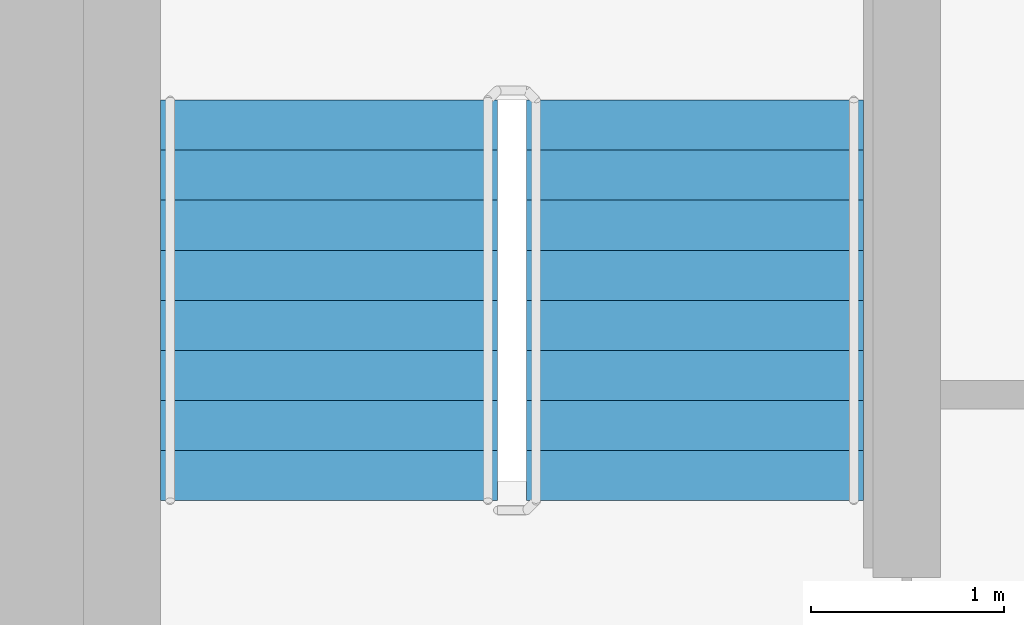
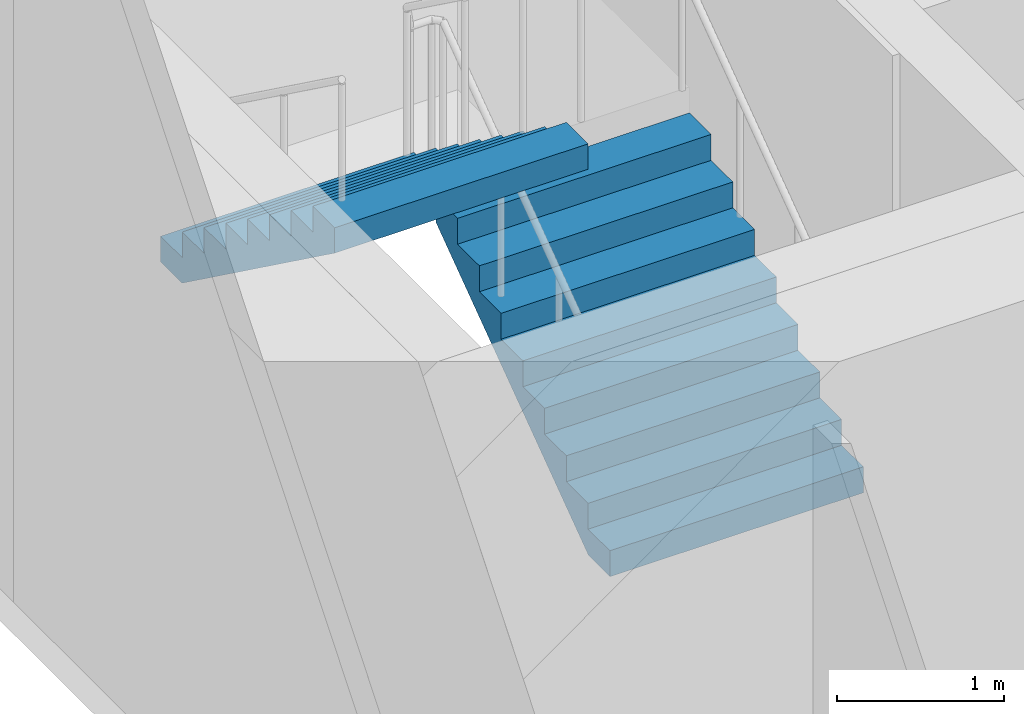
# One storey, part 15 of 18: 2 stair flights, 1 element without a shape of its own.
"""IFC4 building model written with IfcOpenShell, lengths in metres."""

import ifcopenshell
import ifcopenshell.guid

model = None  # the IFC model being written
_history = None  # IfcOwnerHistory: only IFC2X3 demands one
_inside = {}  # id of a spatial element -> (the spatial element, [elements in it])
_under = {}  # id of a project, library or spatial element -> (it, [spatial elements below it])
_declared = {}  # id of a project -> (the project, [libraries it declares])
_typed = {}  # id of a type object -> (the type object, [elements of that type])
_made_of = {}  # id of a material, layer set ... -> (it, [elements and type objects made of it])


def new_model(schema):
    """Start an empty IFC model of exactly this schema.

    Asked for "IFC4X3", IfcOpenShell would pick the latest addendum, in which some entities
    have other attributes; the version numbers below select the first issue.
    IFC2X3 requires an IfcOwnerHistory on every rooted entity: one is made here for all.
    """
    global model, _history
    if schema == "IFC4X3":
        model = ifcopenshell.file(schema_version=(4, 3, 0, 0))
    else:
        model = ifcopenshell.file(schema=schema)
    _inside.clear()
    _under.clear()
    _declared.clear()
    _typed.clear()
    _made_of.clear()
    _history = None
    if model.schema == "IFC2X3":
        org = make("IfcOrganization", Name="unknown")
        user = make(
            "IfcPersonAndOrganization",
            ThePerson=make("IfcPerson", FamilyName="unknown"),
            TheOrganization=org,
        )
        app = make(
            "IfcApplication",
            ApplicationDeveloper=org,
            Version="unknown",
            ApplicationFullName="unknown",
            ApplicationIdentifier="unknown",
        )
        _history = make(
            "IfcOwnerHistory",
            OwningUser=user,
            OwningApplication=app,
            ChangeAction="ADDED",
            CreationDate=0,
        )
    return model


def make(cls, **values):
    """One entity of the class cls with the attributes given. An attribute that is None is left unset."""
    return model.create_entity(
        cls, **{name: value for name, value in values.items() if value is not None}
    )


def rooted(cls, **values):
    """An entity with a GlobalId (a new one), such as an element, a storey or a relation."""
    return make(cls, GlobalId=ifcopenshell.guid.new(), OwnerHistory=_history, **values)


def si_unit(unit_type, name, prefix=None):
    """IfcSIUnit, for example si_unit("LENGTHUNIT", "METRE", prefix="MILLI")."""
    return make("IfcSIUnit", UnitType=unit_type, Prefix=prefix, Name=name)


def assignment(units):
    """IfcUnitAssignment: the units of a project."""
    return None if units is None else make("IfcUnitAssignment", Units=units)


def point(xyz):
    """IfcCartesianPoint."""
    return None if xyz is None else make("IfcCartesianPoint", Coordinates=xyz)


def direction(xyz):
    """IfcDirection."""
    return None if xyz is None else make("IfcDirection", DirectionRatios=xyz)


def frame(location, z_axis=None, x_axis=None):
    """IfcAxis2Placement3D, a coordinate frame: its origin and axes. An axis left out is left unset."""
    return make(
        "IfcAxis2Placement3D",
        Location=point(location),
        Axis=direction(z_axis),
        RefDirection=direction(x_axis),
    )


def origin():
    """The frame at (0, 0, 0) with its axes left unset."""
    return frame((0.0, 0.0, 0.0))


def place(relative_to, where):
    """IfcLocalPlacement: puts the frame where relative to a parent placement (None: the world)."""
    return make(
        "IfcLocalPlacement", PlacementRelTo=relative_to, RelativePlacement=where
    )


def context(
    kind, dimensions, precision=None, world=None, true_north=None, identifier=None
):
    """IfcGeometricRepresentationContext, for example the 3D "Model" context."""
    return make(
        "IfcGeometricRepresentationContext",
        ContextIdentifier=identifier,
        ContextType=kind,
        CoordinateSpaceDimension=dimensions,
        Precision=precision,
        WorldCoordinateSystem=world,
        TrueNorth=true_north,
    )


def subcontext(parent, identifier, kind, view, scale=None):
    """IfcGeometricRepresentationSubContext, for example "Body" below "Model"."""
    return make(
        "IfcGeometricRepresentationSubContext",
        ContextIdentifier=identifier,
        ContextType=kind,
        ParentContext=parent,
        TargetScale=scale,
        TargetView=view,
    )


def project(units=None, contexts=None):
    """IfcProject with its units and contexts."""
    return rooted(
        "IfcProject",
        Name="project",
        RepresentationContexts=contexts,
        UnitsInContext=assignment(units),
    )


def spatial(cls, under=None, at=None, **own):
    """A site, building, storey or space (cls), placed at a placement, below another one or the project."""
    s = rooted(cls, ObjectPlacement=at, **own)
    if under is not None:
        _under.setdefault(under.id(), (under, []))[1].append(s)
    return s


def faces_of(points, faces, orient=None, outer=None):
    """IfcFace entities. A face is a list of loops; a loop is a list of indices into points, from 0.

    orient and outer hold one flag for each loop. By default every Orientation is true, the
    first loop of a face is its IfcFaceOuterBound and the others are IfcFaceBound.
    """
    made = []
    for i, loops in enumerate(faces):
        bounds = []
        for j, loop in enumerate(loops):
            is_outer = j == 0 if outer is None else outer[i][j]
            bounds.append(
                make(
                    "IfcFaceOuterBound" if is_outer else "IfcFaceBound",
                    Bound=make("IfcPolyLoop", Polygon=[points[k] for k in loop]),
                    Orientation=True if orient is None else orient[i][j],
                )
            )
        made.append(make("IfcFace", Bounds=bounds))
    return made


def faceted_brep(points, faces, orient=None, outer=None, voids=None):
    """IfcFacetedBrep: a solid bounded by flat faces; with voids (closed shells), ...WithVoids."""
    shared = [point(p) for p in points]
    hull = make("IfcClosedShell", CfsFaces=faces_of(shared, faces, orient, outer))
    if voids is None:
        return make("IfcFacetedBrep", Outer=hull)
    return make(
        "IfcFacetedBrepWithVoids",
        Outer=hull,
        Voids=[
            make(cls, CfsFaces=faces_of(shared, fs, o, b)) for cls, fs, o, b in voids
        ],
    )


def shape(context_of_items, identifier, shape_type, items):
    """IfcShapeRepresentation: the items that make up one representation, for example the "Body"."""
    return make(
        "IfcShapeRepresentation",
        ContextOfItems=context_of_items,
        RepresentationIdentifier=identifier,
        RepresentationType=shape_type,
        Items=items,
    )


def material(Name=None, Category=None):
    """IfcMaterial."""
    return make("IfcMaterial", Name=Name, Category=Category)


def made_of(thing, what):
    """Note that an element or type object is made of a material, layer set ...; save() writes the relation."""
    if what is not None:
        _made_of.setdefault(what.id(), (what, []))[1].append(thing)
    return thing


def type_object(cls, material=None, **own):
    """A type object (cls), such as IfcWallType, which elements share."""
    return made_of(rooted(cls, **own), material)


def element(
    cls,
    number,
    at=None,
    inside=None,
    cuts=None,
    type_object=None,
    material=None,
    context=None,
    identifier="Body",
    shape_type=None,
    held_by="IfcProductDefinitionShape",
    body=None,
    shapes=None,
    **own,
):
    """One element of the class cls, such as IfcWall. Its Tag is "e" and its number.

    at: its placement. inside: the storey or other place that contains it. cuts: it is an
    opening in that element (IfcRelVoidsElement). A single representation is given by context,
    identifier, shape_type and body (its items); several are given by shapes. held_by: the class
    of the entity that holds the representations. save() writes the other relations.
    """
    e = rooted(cls, Tag="e%d" % number, ObjectPlacement=at, **own)
    if body is not None:
        shapes = [shape(context, identifier, shape_type, body)]
    if shapes is not None:
        e.Representation = make(held_by, Representations=shapes)
    if inside is not None:
        _inside.setdefault(inside.id(), (inside, []))[1].append(e)
    if cuts is not None:
        rooted(
            "IfcRelVoidsElement", RelatingBuildingElement=cuts, RelatedOpeningElement=e
        )
    if type_object is not None:
        _typed.setdefault(type_object.id(), (type_object, []))[1].append(e)
    return made_of(e, material)


def aggregate(whole, parts):
    """IfcRelAggregates: a whole, such as a stair, and the parts it consists of."""
    return rooted("IfcRelAggregates", RelatingObject=whole, RelatedObjects=parts)


def save(model, path):
    """Write the relations noted so far, then the file.

    IfcRelAggregates (storeys below a building ...), IfcRelContainedInSpatialStructure (elements
    in a storey), IfcRelDefinesByType, IfcRelAssociatesMaterial and IfcRelDeclares: one each for
    every whole, place, type object, material and project.
    """
    for whole, parts in _under.values():
        aggregate(whole, parts)
    for where, things in _inside.values():
        rooted(
            "IfcRelContainedInSpatialStructure",
            RelatedElements=things,
            RelatingStructure=where,
        )
    for kind, things in _typed.values():
        rooted("IfcRelDefinesByType", RelatedObjects=things, RelatingType=kind)
    for what, things in _made_of.values():
        rooted("IfcRelAssociatesMaterial", RelatedObjects=things, RelatingMaterial=what)
    for by, libraries in _declared.values():
        rooted("IfcRelDeclares", RelatingContext=by, RelatedDefinitions=libraries)
    model.write(path)


model = new_model("IFC4")

# Units and contexts
model_context = context("Model", 3, precision=1e-05, world=origin(), true_north=direction((0.0, 1.0)))
body_context = subcontext(model_context, "Body", "Model", "MODEL_VIEW")
ifc_project = project(units=[si_unit("LENGTHUNIT", "METRE"), si_unit("AREAUNIT", "SQUARE_METRE"), si_unit("VOLUMEUNIT", "CUBIC_METRE"), si_unit("PLANEANGLEUNIT", "RADIAN"), si_unit("MASSUNIT", "GRAM", prefix="KILO")], contexts=[model_context])

# Site, building, storey
site_placement = place(None, origin())
site = spatial("IfcSite", under=ifc_project, at=site_placement, CompositionType="ELEMENT")
building_placement = place(site_placement, origin())
building = spatial("IfcBuilding", under=site, at=building_placement, Name="Ipe Terrace Towers", CompositionType="ELEMENT")
storey_placement = place(building_placement, frame((0.0, 0.0, 150.699951171875)))
storey = spatial("IfcBuildingStorey", under=building, at=storey_placement, Name="L41", CompositionType="ELEMENT", Elevation=150.699951171875)

# Stair, stair flights
ifc_material_1 = material(Name="Concrete C30/37", Category="concrete")
stair_type = type_object("IfcStairType", Name="Protected exit stair", PredefinedType="HALF_TURN_STAIR", material=ifc_material_1)
stair_placement = place(storey_placement, origin())
stair = element("IfcStair", 1, at=stair_placement, inside=storey, type_object=stair_type, Name="L41 Exit stair T2-C1", PredefinedType="HALF_TURN_STAIR")
ifc_material_2 = material(Name="Concrete C30/37", Category="concrete")
stair_flight_type = type_object("IfcStairFlightType", Name="Exit stair flight 1750", PredefinedType="STRAIGHT", material=ifc_material_2)
stair_flight_1_placement = place(storey_placement, frame((33.22509765625, 9.699951171875, 0.0), z_axis=(0.0, 0.0, 1.0), x_axis=(0.0, 1.0, 0.0)))
stair_flight_1 = element("IfcStairFlight", 2, at=stair_flight_1_placement, type_object=stair_flight_type, Name="T2-ST1 flight 1", NumberOfRisers=9, NumberOfTreads=8, PredefinedType="STRAIGHT", RiserHeight=0.188888889, TreadLength=0.26, context=body_context, shape_type="Brep", body=[
    faceted_brep([(0.255126953125, -0.875, 0.0), (2.080078125, -0.875, 1.325927734375), (2.080078125, -0.875, 1.51123046875), (1.820068359375, -0.875, 1.51123046875), (1.820068359375, -0.875, 1.322265625), (1.56005859375, -0.875, 1.322265625), (1.56005859375, -0.875, 1.13330078125), (1.300048828125, -0.875, 1.13330078125), (1.300048828125, -0.875, 0.9443359375), (1.0400390625, -0.875, 0.9443359375), (1.0400390625, -0.875, 0.755615234375), (0.780029296875, -0.875, 0.755615234375), (0.780029296875, -0.875, 0.566650390625), (0.52001953125, -0.875, 0.566650390625), (0.52001953125, -0.875, 0.377685546875), (0.260009765625, -0.875, 0.377685546875), (0.260009765625, -0.875, 0.18896484375), (0.0, -0.875, 0.18896484375), (0.0, -0.875, 0.0), (0.0, 0.875, 0.0), (0.0, 0.875, 0.18896484375), (0.260009765625, 0.875, 0.18896484375), (0.260009765625, 0.875, 0.377685546875), (0.52001953125, 0.875, 0.377685546875), (0.52001953125, 0.875, 0.566650390625), (0.780029296875, 0.875, 0.566650390625), (0.780029296875, 0.875, 0.755615234375), (1.0400390625, 0.875, 0.755615234375), (1.0400390625, 0.875, 0.9443359375), (1.300048828125, 0.875, 0.9443359375), (1.300048828125, 0.875, 1.13330078125), (1.56005859375, 0.875, 1.13330078125), (1.56005859375, 0.875, 1.322265625), (1.820068359375, 0.875, 1.322265625), (1.820068359375, 0.875, 1.51123046875), (2.080078125, 0.875, 1.51123046875), (2.080078125, 0.875, 1.325927734375), (0.255126953125, 0.875, 0.0), (0.0, -0.300048828125, 0.18896484375), (0.0, -0.1201171875, 0.18896484375), (0.0, -0.06005859375, 0.18896484375), (0.0, -0.030029296875, 0.18896484375), (0.0, -0.010009765625, 0.18896484375), (0.0, 0.0, 0.18896484375), (0.0, 0.010009765625, 0.18896484375), (0.0, 0.030029296875, 0.18896484375), (0.0, 0.06005859375, 0.18896484375), (0.0, 0.1201171875, 0.18896484375), (0.0, 0.300048828125, 0.18896484375), (0.0, 0.300048828125, 0.0), (0.0, 0.1201171875, 0.0), (0.0, 0.06005859375, 0.0), (0.0, 0.030029296875, 0.0), (0.0, 0.010009765625, 0.0), (0.0, 0.0, 0.0), (0.0, -0.010009765625, 0.0), (0.0, -0.030029296875, 0.0), (0.0, -0.06005859375, 0.0), (0.0, -0.1201171875, 0.0), (0.0, -0.300048828125, 0.0), (0.260009765625, -0.300048828125, 0.18896484375), (0.260009765625, -0.1201171875, 0.18896484375), (0.260009765625, -0.06005859375, 0.18896484375), (0.260009765625, -0.030029296875, 0.18896484375), (0.260009765625, -0.010009765625, 0.18896484375), (0.260009765625, 0.0, 0.18896484375), (0.260009765625, 0.010009765625, 0.18896484375), (0.260009765625, 0.030029296875, 0.18896484375), (0.260009765625, 0.06005859375, 0.18896484375), (0.260009765625, 0.1201171875, 0.18896484375), (0.260009765625, 0.300048828125, 0.18896484375), (0.260009765625, -0.300048828125, 0.377685546875), (0.260009765625, -0.1201171875, 0.377685546875), (0.260009765625, -0.06005859375, 0.377685546875), (0.260009765625, -0.030029296875, 0.377685546875), (0.260009765625, -0.010009765625, 0.377685546875), (0.260009765625, 0.0, 0.377685546875), (0.260009765625, 0.010009765625, 0.377685546875), (0.260009765625, 0.030029296875, 0.377685546875), (0.260009765625, 0.06005859375, 0.377685546875), (0.260009765625, 0.1201171875, 0.377685546875), (0.260009765625, 0.300048828125, 0.377685546875), (0.52001953125, -0.300048828125, 0.377685546875), (0.52001953125, -0.1201171875, 0.377685546875), (0.52001953125, -0.06005859375, 0.377685546875), (0.52001953125, -0.030029296875, 0.377685546875), (0.52001953125, -0.010009765625, 0.377685546875), (0.52001953125, 0.0, 0.377685546875), (0.52001953125, 0.010009765625, 0.377685546875), (0.52001953125, 0.030029296875, 0.377685546875), (0.52001953125, 0.06005859375, 0.377685546875), (0.52001953125, 0.1201171875, 0.377685546875), (0.52001953125, 0.300048828125, 0.377685546875), (0.52001953125, -0.300048828125, 0.566650390625), (0.52001953125, -0.1201171875, 0.566650390625), (0.52001953125, -0.06005859375, 0.566650390625), (0.52001953125, -0.030029296875, 0.566650390625), (0.52001953125, -0.010009765625, 0.566650390625), (0.52001953125, 0.0, 0.566650390625), (0.52001953125, 0.010009765625, 0.566650390625), (0.52001953125, 0.030029296875, 0.566650390625), (0.52001953125, 0.06005859375, 0.566650390625), (0.52001953125, 0.1201171875, 0.566650390625), (0.52001953125, 0.300048828125, 0.566650390625), (0.780029296875, -0.300048828125, 0.566650390625), (0.780029296875, -0.1201171875, 0.566650390625), (0.780029296875, -0.06005859375, 0.566650390625), (0.780029296875, -0.030029296875, 0.566650390625), (0.780029296875, -0.010009765625, 0.566650390625), (0.780029296875, 0.0, 0.566650390625), (0.780029296875, 0.010009765625, 0.566650390625), (0.780029296875, 0.030029296875, 0.566650390625), (0.780029296875, 0.06005859375, 0.566650390625), (0.780029296875, 0.1201171875, 0.566650390625), (0.780029296875, 0.300048828125, 0.566650390625), (0.780029296875, -0.300048828125, 0.755615234375), (0.780029296875, -0.1201171875, 0.755615234375), (0.780029296875, -0.06005859375, 0.755615234375), (0.780029296875, -0.030029296875, 0.755615234375), (0.780029296875, -0.010009765625, 0.755615234375), (0.780029296875, 0.0, 0.755615234375), (0.780029296875, 0.010009765625, 0.755615234375), (0.780029296875, 0.030029296875, 0.755615234375), (0.780029296875, 0.06005859375, 0.755615234375), (0.780029296875, 0.1201171875, 0.755615234375), (0.780029296875, 0.300048828125, 0.755615234375), (1.0400390625, -0.300048828125, 0.755615234375), (1.0400390625, -0.1201171875, 0.755615234375), (1.0400390625, -0.06005859375, 0.755615234375), (1.0400390625, -0.030029296875, 0.755615234375), (1.0400390625, -0.010009765625, 0.755615234375), (1.0400390625, 0.0, 0.755615234375), (1.0400390625, 0.010009765625, 0.755615234375), (1.0400390625, 0.030029296875, 0.755615234375), (1.0400390625, 0.06005859375, 0.755615234375), (1.0400390625, 0.1201171875, 0.755615234375), (1.0400390625, 0.300048828125, 0.755615234375), (1.0400390625, -0.300048828125, 0.9443359375), (1.0400390625, -0.1201171875, 0.9443359375), (1.0400390625, -0.06005859375, 0.9443359375), (1.0400390625, -0.030029296875, 0.9443359375), (1.0400390625, -0.010009765625, 0.9443359375), (1.0400390625, 0.0, 0.9443359375), (1.0400390625, 0.010009765625, 0.9443359375), (1.0400390625, 0.030029296875, 0.9443359375), (1.0400390625, 0.06005859375, 0.9443359375), (1.0400390625, 0.1201171875, 0.9443359375), (1.0400390625, 0.300048828125, 0.9443359375), (1.300048828125, -0.300048828125, 0.9443359375), (1.300048828125, -0.1201171875, 0.9443359375), (1.300048828125, -0.06005859375, 0.9443359375), (1.300048828125, -0.030029296875, 0.9443359375), (1.300048828125, -0.010009765625, 0.9443359375), (1.300048828125, 0.0, 0.9443359375), (1.300048828125, 0.010009765625, 0.9443359375), (1.300048828125, 0.030029296875, 0.9443359375), (1.300048828125, 0.06005859375, 0.9443359375), (1.300048828125, 0.1201171875, 0.9443359375), (1.300048828125, 0.300048828125, 0.9443359375), (1.300048828125, -0.300048828125, 1.13330078125), (1.300048828125, -0.1201171875, 1.13330078125), (1.300048828125, -0.06005859375, 1.13330078125), (1.300048828125, -0.030029296875, 1.13330078125), (1.300048828125, -0.010009765625, 1.13330078125), (1.300048828125, 0.0, 1.13330078125), (1.300048828125, 0.010009765625, 1.13330078125), (1.300048828125, 0.030029296875, 1.13330078125), (1.300048828125, 0.06005859375, 1.13330078125), (1.300048828125, 0.1201171875, 1.13330078125), (1.300048828125, 0.300048828125, 1.13330078125), (1.56005859375, -0.300048828125, 1.13330078125), (1.56005859375, -0.1201171875, 1.13330078125), (1.56005859375, -0.06005859375, 1.13330078125), (1.56005859375, -0.030029296875, 1.13330078125), (1.56005859375, -0.010009765625, 1.13330078125), (1.56005859375, 0.0, 1.13330078125), (1.56005859375, 0.010009765625, 1.13330078125), (1.56005859375, 0.030029296875, 1.13330078125), (1.56005859375, 0.06005859375, 1.13330078125), (1.56005859375, 0.1201171875, 1.13330078125), (1.56005859375, 0.300048828125, 1.13330078125), (1.56005859375, -0.300048828125, 1.322265625), (1.56005859375, -0.1201171875, 1.322265625), (1.56005859375, -0.06005859375, 1.322265625), (1.56005859375, -0.030029296875, 1.322265625), (1.56005859375, -0.010009765625, 1.322265625), (1.56005859375, 0.0, 1.322265625), (1.56005859375, 0.010009765625, 1.322265625), (1.56005859375, 0.030029296875, 1.322265625), (1.56005859375, 0.06005859375, 1.322265625), (1.56005859375, 0.1201171875, 1.322265625), (1.56005859375, 0.300048828125, 1.322265625), (1.820068359375, -0.300048828125, 1.322265625), (1.820068359375, -0.1201171875, 1.322265625), (1.820068359375, -0.06005859375, 1.322265625), (1.820068359375, -0.030029296875, 1.322265625), (1.820068359375, -0.010009765625, 1.322265625), (1.820068359375, 0.0, 1.322265625), (1.820068359375, 0.010009765625, 1.322265625), (1.820068359375, 0.030029296875, 1.322265625), (1.820068359375, 0.06005859375, 1.322265625), (1.820068359375, 0.1201171875, 1.322265625), (1.820068359375, 0.300048828125, 1.322265625), (1.820068359375, -0.300048828125, 1.51123046875), (1.820068359375, -0.1201171875, 1.51123046875), (1.820068359375, -0.06005859375, 1.51123046875), (1.820068359375, -0.030029296875, 1.51123046875), (1.820068359375, -0.010009765625, 1.51123046875), (1.820068359375, 0.0, 1.51123046875), (1.820068359375, 0.010009765625, 1.51123046875), (1.820068359375, 0.030029296875, 1.51123046875), (1.820068359375, 0.06005859375, 1.51123046875), (1.820068359375, 0.1201171875, 1.51123046875), (1.820068359375, 0.300048828125, 1.51123046875), (2.080078125, -0.300048828125, 1.51123046875), (2.080078125, -0.1201171875, 1.51123046875), (2.080078125, -0.06005859375, 1.51123046875), (2.080078125, -0.030029296875, 1.51123046875), (2.080078125, -0.010009765625, 1.51123046875), (2.080078125, 0.0, 1.51123046875), (2.080078125, 0.010009765625, 1.51123046875), (2.080078125, 0.030029296875, 1.51123046875), (2.080078125, 0.06005859375, 1.51123046875), (2.080078125, 0.1201171875, 1.51123046875), (2.080078125, 0.300048828125, 1.51123046875), (2.080078125, -0.300048828125, 1.325927734375), (2.080078125, -0.1201171875, 1.325927734375), (2.080078125, -0.06005859375, 1.325927734375), (2.080078125, -0.030029296875, 1.325927734375), (2.080078125, -0.010009765625, 1.325927734375), (2.080078125, 0.0, 1.325927734375), (2.080078125, 0.010009765625, 1.325927734375), (2.080078125, 0.030029296875, 1.325927734375), (2.080078125, 0.06005859375, 1.325927734375), (2.080078125, 0.1201171875, 1.325927734375), (2.080078125, 0.300048828125, 1.325927734375), (0.255126953125, -0.300048828125, 0.0), (0.255126953125, -0.1201171875, 0.0), (0.255126953125, -0.06005859375, 0.0), (0.255126953125, -0.030029296875, 0.0), (0.255126953125, -0.010009765625, 0.0), (0.255126953125, 0.0, 0.0), (0.255126953125, 0.010009765625, 0.0), (0.255126953125, 0.030029296875, 0.0), (0.255126953125, 0.06005859375, 0.0), (0.255126953125, 0.1201171875, 0.0), (0.255126953125, 0.300048828125, 0.0)], [[[0, 1, 2, 3, 4, 5, 6, 7, 8, 9, 10, 11, 12, 13, 14, 15, 16, 17, 18]], [[19, 20, 21, 22, 23, 24, 25, 26, 27, 28, 29, 30, 31, 32, 33, 34, 35, 36, 37]], [[17, 38, 39, 40, 41, 42, 43, 44, 45, 46, 47, 48, 20, 19, 49, 50, 51, 52, 53, 54, 55, 56, 57, 58, 59, 18]], [[16, 60, 61, 62, 63, 64, 65, 66, 67, 68, 69, 70, 21, 20, 48, 47, 46, 45, 44, 43, 42, 41, 40, 39, 38, 17]], [[15, 71, 72, 73, 74, 75, 76, 77, 78, 79, 80, 81, 22, 21, 70, 69, 68, 67, 66, 65, 64, 63, 62, 61, 60, 16]], [[14, 82, 83, 84, 85, 86, 87, 88, 89, 90, 91, 92, 23, 22, 81, 80, 79, 78, 77, 76, 75, 74, 73, 72, 71, 15]], [[13, 93, 94, 95, 96, 97, 98, 99, 100, 101, 102, 103, 24, 23, 92, 91, 90, 89, 88, 87, 86, 85, 84, 83, 82, 14]], [[12, 104, 105, 106, 107, 108, 109, 110, 111, 112, 113, 114, 25, 24, 103, 102, 101, 100, 99, 98, 97, 96, 95, 94, 93, 13]], [[11, 115, 116, 117, 118, 119, 120, 121, 122, 123, 124, 125, 26, 25, 114, 113, 112, 111, 110, 109, 108, 107, 106, 105, 104, 12]], [[10, 126, 127, 128, 129, 130, 131, 132, 133, 134, 135, 136, 27, 26, 125, 124, 123, 122, 121, 120, 119, 118, 117, 116, 115, 11]], [[9, 137, 138, 139, 140, 141, 142, 143, 144, 145, 146, 147, 28, 27, 136, 135, 134, 133, 132, 131, 130, 129, 128, 127, 126, 10]], [[8, 148, 149, 150, 151, 152, 153, 154, 155, 156, 157, 158, 29, 28, 147, 146, 145, 144, 143, 142, 141, 140, 139, 138, 137, 9]], [[7, 159, 160, 161, 162, 163, 164, 165, 166, 167, 168, 169, 30, 29, 158, 157, 156, 155, 154, 153, 152, 151, 150, 149, 148, 8]], [[6, 170, 171, 172, 173, 174, 175, 176, 177, 178, 179, 180, 31, 30, 169, 168, 167, 166, 165, 164, 163, 162, 161, 160, 159, 7]], [[5, 181, 182, 183, 184, 185, 186, 187, 188, 189, 190, 191, 32, 31, 180, 179, 178, 177, 176, 175, 174, 173, 172, 171, 170, 6]], [[4, 192, 193, 194, 195, 196, 197, 198, 199, 200, 201, 202, 33, 32, 191, 190, 189, 188, 187, 186, 185, 184, 183, 182, 181, 5]], [[3, 203, 204, 205, 206, 207, 208, 209, 210, 211, 212, 213, 34, 33, 202, 201, 200, 199, 198, 197, 196, 195, 194, 193, 192, 4]], [[2, 214, 215, 216, 217, 218, 219, 220, 221, 222, 223, 224, 35, 34, 213, 212, 211, 210, 209, 208, 207, 206, 205, 204, 203, 3]], [[1, 225, 226, 227, 228, 229, 230, 231, 232, 233, 234, 235, 36, 35, 224, 223, 222, 221, 220, 219, 218, 217, 216, 215, 214, 2]], [[0, 236, 237, 238, 239, 240, 241, 242, 243, 244, 245, 246, 37, 36, 235, 234, 233, 232, 231, 230, 229, 228, 227, 226, 225, 1]], [[18, 59, 58, 57, 56, 55, 54, 53, 52, 51, 50, 49, 19, 37, 246, 245, 244, 243, 242, 241, 240, 239, 238, 237, 236, 0]]]),
])
stair_flight_2_placement = place(storey_placement, frame((31.324951171875, 11.780029296875, 1.699951171875), z_axis=(0.0, 0.0, 1.0), x_axis=(0.0, -1.0, 0.0)))
stair_flight_2 = element("IfcStairFlight", 3, at=stair_flight_2_placement, type_object=stair_flight_type, Name="T2-ST1 flight 2", NumberOfRisers=9, NumberOfTreads=8, PredefinedType="STRAIGHT", RiserHeight=0.188888889, TreadLength=0.26, context=body_context, shape_type="Brep", body=[
    faceted_brep([(0.255126953125, -0.875, 0.0), (2.080078125, -0.875, 1.325927734375), (2.080078125, -0.875, 1.51123046875), (1.820068359375, -0.875, 1.51123046875), (1.820068359375, -0.875, 1.322265625), (1.56005859375, -0.875, 1.322265625), (1.56005859375, -0.875, 1.13330078125), (1.300048828125, -0.875, 1.13330078125), (1.300048828125, -0.875, 0.9443359375), (1.0400390625, -0.875, 0.9443359375), (1.0400390625, -0.875, 0.755615234375), (0.780029296875, -0.875, 0.755615234375), (0.780029296875, -0.875, 0.566650390625), (0.52001953125, -0.875, 0.566650390625), (0.52001953125, -0.875, 0.377685546875), (0.260009765625, -0.875, 0.377685546875), (0.260009765625, -0.875, 0.18896484375), (0.0, -0.875, 0.18896484375), (0.0, -0.875, 0.0), (0.0, 0.875, 0.0), (0.0, 0.875, 0.18896484375), (0.260009765625, 0.875, 0.18896484375), (0.260009765625, 0.875, 0.377685546875), (0.52001953125, 0.875, 0.377685546875), (0.52001953125, 0.875, 0.566650390625), (0.780029296875, 0.875, 0.566650390625), (0.780029296875, 0.875, 0.755615234375), (1.0400390625, 0.875, 0.755615234375), (1.0400390625, 0.875, 0.9443359375), (1.300048828125, 0.875, 0.9443359375), (1.300048828125, 0.875, 1.13330078125), (1.56005859375, 0.875, 1.13330078125), (1.56005859375, 0.875, 1.322265625), (1.820068359375, 0.875, 1.322265625), (1.820068359375, 0.875, 1.51123046875), (2.080078125, 0.875, 1.51123046875), (2.080078125, 0.875, 1.325927734375), (0.255126953125, 0.875, 0.0), (0.0, -0.300048828125, 0.18896484375), (0.0, -0.1201171875, 0.18896484375), (0.0, -0.06005859375, 0.18896484375), (0.0, -0.030029296875, 0.18896484375), (0.0, -0.010009765625, 0.18896484375), (0.0, 0.0, 0.18896484375), (0.0, 0.010009765625, 0.18896484375), (0.0, 0.030029296875, 0.18896484375), (0.0, 0.06005859375, 0.18896484375), (0.0, 0.1201171875, 0.18896484375), (0.0, 0.300048828125, 0.18896484375), (0.0, 0.300048828125, 0.0), (0.0, 0.1201171875, 0.0), (0.0, 0.06005859375, 0.0), (0.0, 0.030029296875, 0.0), (0.0, 0.010009765625, 0.0), (0.0, 0.0, 0.0), (0.0, -0.010009765625, 0.0), (0.0, -0.030029296875, 0.0), (0.0, -0.06005859375, 0.0), (0.0, -0.1201171875, 0.0), (0.0, -0.300048828125, 0.0), (0.260009765625, -0.300048828125, 0.18896484375), (0.260009765625, -0.1201171875, 0.18896484375), (0.260009765625, -0.06005859375, 0.18896484375), (0.260009765625, -0.030029296875, 0.18896484375), (0.260009765625, -0.010009765625, 0.18896484375), (0.260009765625, 0.0, 0.18896484375), (0.260009765625, 0.010009765625, 0.18896484375), (0.260009765625, 0.030029296875, 0.18896484375), (0.260009765625, 0.06005859375, 0.18896484375), (0.260009765625, 0.1201171875, 0.18896484375), (0.260009765625, 0.300048828125, 0.18896484375), (0.260009765625, -0.300048828125, 0.377685546875), (0.260009765625, -0.1201171875, 0.377685546875), (0.260009765625, -0.06005859375, 0.377685546875), (0.260009765625, -0.030029296875, 0.377685546875), (0.260009765625, -0.010009765625, 0.377685546875), (0.260009765625, 0.0, 0.377685546875), (0.260009765625, 0.010009765625, 0.377685546875), (0.260009765625, 0.030029296875, 0.377685546875), (0.260009765625, 0.06005859375, 0.377685546875), (0.260009765625, 0.1201171875, 0.377685546875), (0.260009765625, 0.300048828125, 0.377685546875), (0.52001953125, -0.300048828125, 0.377685546875), (0.52001953125, -0.1201171875, 0.377685546875), (0.52001953125, -0.06005859375, 0.377685546875), (0.52001953125, -0.030029296875, 0.377685546875), (0.52001953125, -0.010009765625, 0.377685546875), (0.52001953125, 0.0, 0.377685546875), (0.52001953125, 0.010009765625, 0.377685546875), (0.52001953125, 0.030029296875, 0.377685546875), (0.52001953125, 0.06005859375, 0.377685546875), (0.52001953125, 0.1201171875, 0.377685546875), (0.52001953125, 0.300048828125, 0.377685546875), (0.52001953125, -0.300048828125, 0.566650390625), (0.52001953125, -0.1201171875, 0.566650390625), (0.52001953125, -0.06005859375, 0.566650390625), (0.52001953125, -0.030029296875, 0.566650390625), (0.52001953125, -0.010009765625, 0.566650390625), (0.52001953125, 0.0, 0.566650390625), (0.52001953125, 0.010009765625, 0.566650390625), (0.52001953125, 0.030029296875, 0.566650390625), (0.52001953125, 0.06005859375, 0.566650390625), (0.52001953125, 0.1201171875, 0.566650390625), (0.52001953125, 0.300048828125, 0.566650390625), (0.780029296875, -0.300048828125, 0.566650390625), (0.780029296875, -0.1201171875, 0.566650390625), (0.780029296875, -0.06005859375, 0.566650390625), (0.780029296875, -0.030029296875, 0.566650390625), (0.780029296875, -0.010009765625, 0.566650390625), (0.780029296875, 0.0, 0.566650390625), (0.780029296875, 0.010009765625, 0.566650390625), (0.780029296875, 0.030029296875, 0.566650390625), (0.780029296875, 0.06005859375, 0.566650390625), (0.780029296875, 0.1201171875, 0.566650390625), (0.780029296875, 0.300048828125, 0.566650390625), (0.780029296875, -0.300048828125, 0.755615234375), (0.780029296875, -0.1201171875, 0.755615234375), (0.780029296875, -0.06005859375, 0.755615234375), (0.780029296875, -0.030029296875, 0.755615234375), (0.780029296875, -0.010009765625, 0.755615234375), (0.780029296875, 0.0, 0.755615234375), (0.780029296875, 0.010009765625, 0.755615234375), (0.780029296875, 0.030029296875, 0.755615234375), (0.780029296875, 0.06005859375, 0.755615234375), (0.780029296875, 0.1201171875, 0.755615234375), (0.780029296875, 0.300048828125, 0.755615234375), (1.0400390625, -0.300048828125, 0.755615234375), (1.0400390625, -0.1201171875, 0.755615234375), (1.0400390625, -0.06005859375, 0.755615234375), (1.0400390625, -0.030029296875, 0.755615234375), (1.0400390625, -0.010009765625, 0.755615234375), (1.0400390625, 0.0, 0.755615234375), (1.0400390625, 0.010009765625, 0.755615234375), (1.0400390625, 0.030029296875, 0.755615234375), (1.0400390625, 0.06005859375, 0.755615234375), (1.0400390625, 0.1201171875, 0.755615234375), (1.0400390625, 0.300048828125, 0.755615234375), (1.0400390625, -0.300048828125, 0.9443359375), (1.0400390625, -0.1201171875, 0.9443359375), (1.0400390625, -0.06005859375, 0.9443359375), (1.0400390625, -0.030029296875, 0.9443359375), (1.0400390625, -0.010009765625, 0.9443359375), (1.0400390625, 0.0, 0.9443359375), (1.0400390625, 0.010009765625, 0.9443359375), (1.0400390625, 0.030029296875, 0.9443359375), (1.0400390625, 0.06005859375, 0.9443359375), (1.0400390625, 0.1201171875, 0.9443359375), (1.0400390625, 0.300048828125, 0.9443359375), (1.300048828125, -0.300048828125, 0.9443359375), (1.300048828125, -0.1201171875, 0.9443359375), (1.300048828125, -0.06005859375, 0.9443359375), (1.300048828125, -0.030029296875, 0.9443359375), (1.300048828125, -0.010009765625, 0.9443359375), (1.300048828125, 0.0, 0.9443359375), (1.300048828125, 0.010009765625, 0.9443359375), (1.300048828125, 0.030029296875, 0.9443359375), (1.300048828125, 0.06005859375, 0.9443359375), (1.300048828125, 0.1201171875, 0.9443359375), (1.300048828125, 0.300048828125, 0.9443359375), (1.300048828125, -0.300048828125, 1.13330078125), (1.300048828125, -0.1201171875, 1.13330078125), (1.300048828125, -0.06005859375, 1.13330078125), (1.300048828125, -0.030029296875, 1.13330078125), (1.300048828125, -0.010009765625, 1.13330078125), (1.300048828125, 0.0, 1.13330078125), (1.300048828125, 0.010009765625, 1.13330078125), (1.300048828125, 0.030029296875, 1.13330078125), (1.300048828125, 0.06005859375, 1.13330078125), (1.300048828125, 0.1201171875, 1.13330078125), (1.300048828125, 0.300048828125, 1.13330078125), (1.56005859375, -0.300048828125, 1.13330078125), (1.56005859375, -0.1201171875, 1.13330078125), (1.56005859375, -0.06005859375, 1.13330078125), (1.56005859375, -0.030029296875, 1.13330078125), (1.56005859375, -0.010009765625, 1.13330078125), (1.56005859375, 0.0, 1.13330078125), (1.56005859375, 0.010009765625, 1.13330078125), (1.56005859375, 0.030029296875, 1.13330078125), (1.56005859375, 0.06005859375, 1.13330078125), (1.56005859375, 0.1201171875, 1.13330078125), (1.56005859375, 0.300048828125, 1.13330078125), (1.56005859375, -0.300048828125, 1.322265625), (1.56005859375, -0.1201171875, 1.322265625), (1.56005859375, -0.06005859375, 1.322265625), (1.56005859375, -0.030029296875, 1.322265625), (1.56005859375, -0.010009765625, 1.322265625), (1.56005859375, 0.0, 1.322265625), (1.56005859375, 0.010009765625, 1.322265625), (1.56005859375, 0.030029296875, 1.322265625), (1.56005859375, 0.06005859375, 1.322265625), (1.56005859375, 0.1201171875, 1.322265625), (1.56005859375, 0.300048828125, 1.322265625), (1.820068359375, -0.300048828125, 1.322265625), (1.820068359375, -0.1201171875, 1.322265625), (1.820068359375, -0.06005859375, 1.322265625), (1.820068359375, -0.030029296875, 1.322265625), (1.820068359375, -0.010009765625, 1.322265625), (1.820068359375, 0.0, 1.322265625), (1.820068359375, 0.010009765625, 1.322265625), (1.820068359375, 0.030029296875, 1.322265625), (1.820068359375, 0.06005859375, 1.322265625), (1.820068359375, 0.1201171875, 1.322265625), (1.820068359375, 0.300048828125, 1.322265625), (1.820068359375, -0.300048828125, 1.51123046875), (1.820068359375, -0.1201171875, 1.51123046875), (1.820068359375, -0.06005859375, 1.51123046875), (1.820068359375, -0.030029296875, 1.51123046875), (1.820068359375, -0.010009765625, 1.51123046875), (1.820068359375, 0.0, 1.51123046875), (1.820068359375, 0.010009765625, 1.51123046875), (1.820068359375, 0.030029296875, 1.51123046875), (1.820068359375, 0.06005859375, 1.51123046875), (1.820068359375, 0.1201171875, 1.51123046875), (1.820068359375, 0.300048828125, 1.51123046875), (2.080078125, -0.300048828125, 1.51123046875), (2.080078125, -0.1201171875, 1.51123046875), (2.080078125, -0.06005859375, 1.51123046875), (2.080078125, -0.030029296875, 1.51123046875), (2.080078125, -0.010009765625, 1.51123046875), (2.080078125, 0.0, 1.51123046875), (2.080078125, 0.010009765625, 1.51123046875), (2.080078125, 0.030029296875, 1.51123046875), (2.080078125, 0.06005859375, 1.51123046875), (2.080078125, 0.1201171875, 1.51123046875), (2.080078125, 0.300048828125, 1.51123046875), (2.080078125, -0.300048828125, 1.325927734375), (2.080078125, -0.1201171875, 1.325927734375), (2.080078125, -0.06005859375, 1.325927734375), (2.080078125, -0.030029296875, 1.325927734375), (2.080078125, -0.010009765625, 1.325927734375), (2.080078125, 0.0, 1.325927734375), (2.080078125, 0.010009765625, 1.325927734375), (2.080078125, 0.030029296875, 1.325927734375), (2.080078125, 0.06005859375, 1.325927734375), (2.080078125, 0.1201171875, 1.325927734375), (2.080078125, 0.300048828125, 1.325927734375), (0.255126953125, -0.300048828125, 0.0), (0.255126953125, -0.1201171875, 0.0), (0.255126953125, -0.06005859375, 0.0), (0.255126953125, -0.030029296875, 0.0), (0.255126953125, -0.010009765625, 0.0), (0.255126953125, 0.0, 0.0), (0.255126953125, 0.010009765625, 0.0), (0.255126953125, 0.030029296875, 0.0), (0.255126953125, 0.06005859375, 0.0), (0.255126953125, 0.1201171875, 0.0), (0.255126953125, 0.300048828125, 0.0)], [[[0, 1, 2, 3, 4, 5, 6, 7, 8, 9, 10, 11, 12, 13, 14, 15, 16, 17, 18]], [[19, 20, 21, 22, 23, 24, 25, 26, 27, 28, 29, 30, 31, 32, 33, 34, 35, 36, 37]], [[17, 38, 39, 40, 41, 42, 43, 44, 45, 46, 47, 48, 20, 19, 49, 50, 51, 52, 53, 54, 55, 56, 57, 58, 59, 18]], [[16, 60, 61, 62, 63, 64, 65, 66, 67, 68, 69, 70, 21, 20, 48, 47, 46, 45, 44, 43, 42, 41, 40, 39, 38, 17]], [[15, 71, 72, 73, 74, 75, 76, 77, 78, 79, 80, 81, 22, 21, 70, 69, 68, 67, 66, 65, 64, 63, 62, 61, 60, 16]], [[14, 82, 83, 84, 85, 86, 87, 88, 89, 90, 91, 92, 23, 22, 81, 80, 79, 78, 77, 76, 75, 74, 73, 72, 71, 15]], [[13, 93, 94, 95, 96, 97, 98, 99, 100, 101, 102, 103, 24, 23, 92, 91, 90, 89, 88, 87, 86, 85, 84, 83, 82, 14]], [[12, 104, 105, 106, 107, 108, 109, 110, 111, 112, 113, 114, 25, 24, 103, 102, 101, 100, 99, 98, 97, 96, 95, 94, 93, 13]], [[11, 115, 116, 117, 118, 119, 120, 121, 122, 123, 124, 125, 26, 25, 114, 113, 112, 111, 110, 109, 108, 107, 106, 105, 104, 12]], [[10, 126, 127, 128, 129, 130, 131, 132, 133, 134, 135, 136, 27, 26, 125, 124, 123, 122, 121, 120, 119, 118, 117, 116, 115, 11]], [[9, 137, 138, 139, 140, 141, 142, 143, 144, 145, 146, 147, 28, 27, 136, 135, 134, 133, 132, 131, 130, 129, 128, 127, 126, 10]], [[8, 148, 149, 150, 151, 152, 153, 154, 155, 156, 157, 158, 29, 28, 147, 146, 145, 144, 143, 142, 141, 140, 139, 138, 137, 9]], [[7, 159, 160, 161, 162, 163, 164, 165, 166, 167, 168, 169, 30, 29, 158, 157, 156, 155, 154, 153, 152, 151, 150, 149, 148, 8]], [[6, 170, 171, 172, 173, 174, 175, 176, 177, 178, 179, 180, 31, 30, 169, 168, 167, 166, 165, 164, 163, 162, 161, 160, 159, 7]], [[5, 181, 182, 183, 184, 185, 186, 187, 188, 189, 190, 191, 32, 31, 180, 179, 178, 177, 176, 175, 174, 173, 172, 171, 170, 6]], [[4, 192, 193, 194, 195, 196, 197, 198, 199, 200, 201, 202, 33, 32, 191, 190, 189, 188, 187, 186, 185, 184, 183, 182, 181, 5]], [[3, 203, 204, 205, 206, 207, 208, 209, 210, 211, 212, 213, 34, 33, 202, 201, 200, 199, 198, 197, 196, 195, 194, 193, 192, 4]], [[2, 214, 215, 216, 217, 218, 219, 220, 221, 222, 223, 224, 35, 34, 213, 212, 211, 210, 209, 208, 207, 206, 205, 204, 203, 3]], [[1, 225, 226, 227, 228, 229, 230, 231, 232, 233, 234, 235, 36, 35, 224, 223, 222, 221, 220, 219, 218, 217, 216, 215, 214, 2]], [[0, 236, 237, 238, 239, 240, 241, 242, 243, 244, 245, 246, 37, 36, 235, 234, 233, 232, 231, 230, 229, 228, 227, 226, 225, 1]], [[18, 59, 58, 57, 56, 55, 54, 53, 52, 51, 50, 49, 19, 37, 246, 245, 244, 243, 242, 241, 240, 239, 238, 237, 236, 0]]]),
])
aggregate(stair, [stair_flight_1, stair_flight_2])

save(model, "model.ifc")
